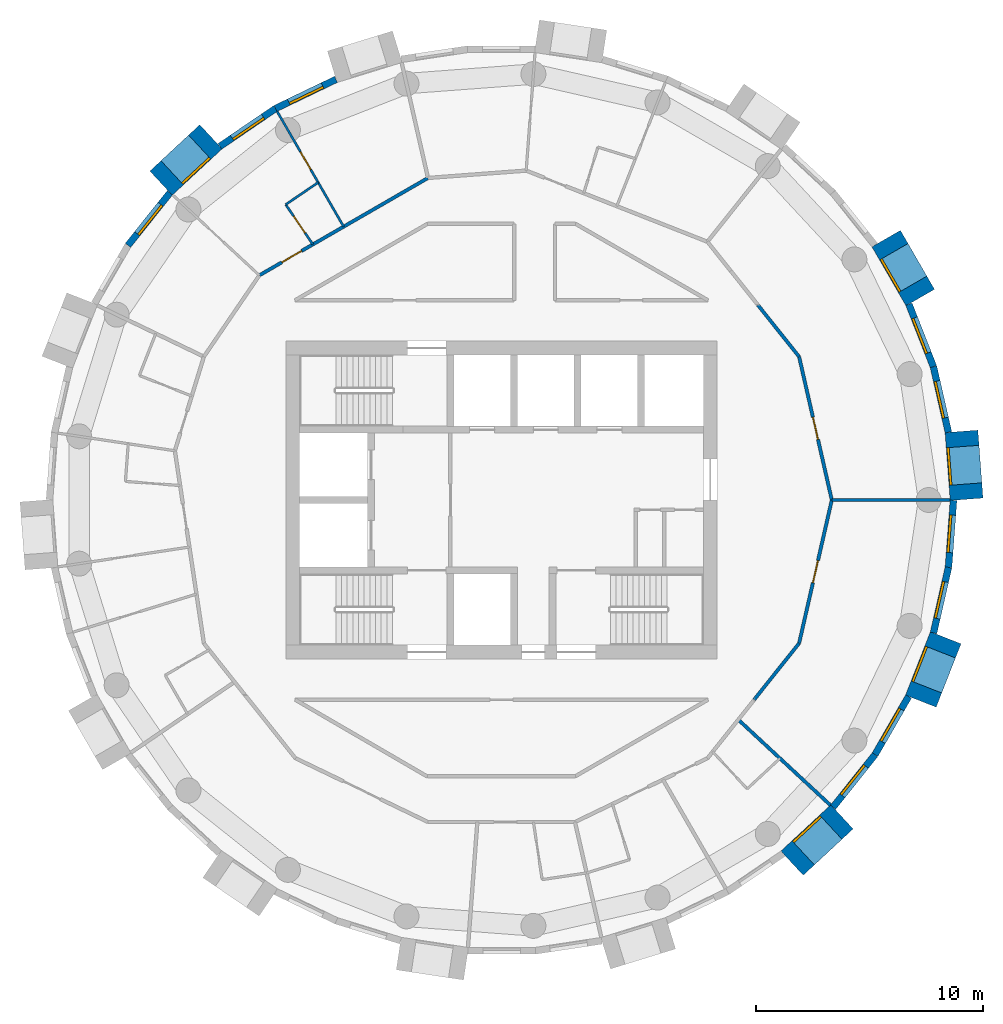
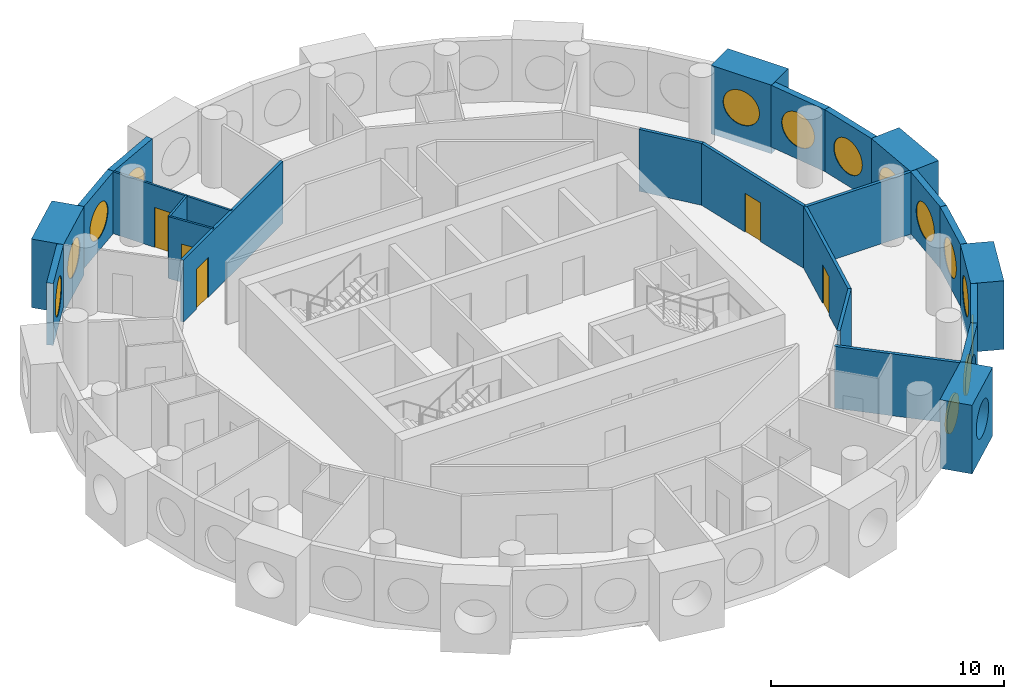
# One storey, part 8 of 11: 25 walls, 14 windows, 5 doors, 19 openings.
"""IFC4 building model written with IfcOpenShell, lengths in metres."""

from ifc_helpers import new_model, si_unit, direction, frame, frame_2d, origin, origin_2d, place, context, subcontext, project, spatial, rectangle, circle, extrude, material, layer, layer_set, type_object, element, fill, save


model = new_model("IFC4")

# Units and contexts
model_context = context("Model", 3, precision=1e-05, world=origin(), true_north=direction((0.0, 1.0)))
body_context = subcontext(model_context, "Body", "Model", "MODEL_VIEW")
ifc_project = project(units=[si_unit("LENGTHUNIT", "METRE"), si_unit("AREAUNIT", "SQUARE_METRE"), si_unit("VOLUMEUNIT", "CUBIC_METRE"), si_unit("PLANEANGLEUNIT", "RADIAN"), si_unit("MASSUNIT", "GRAM", prefix="KILO")], contexts=[model_context])

# Site, building, storey
site_placement = place(None, origin())
site = spatial("IfcSite", under=ifc_project, at=site_placement, CompositionType="ELEMENT")
building_placement = place(site_placement, origin())
building = spatial("IfcBuilding", under=site, at=building_placement, Name="Tracery Tower", CompositionType="ELEMENT")
storey_placement = place(building_placement, frame((0.0, 0.0, 263.39990234375)))
storey = spatial("IfcBuildingStorey", under=building, at=storey_placement, Name="L68", CompositionType="ELEMENT", Elevation=263.39990234375)

# Wall, opening, window
ifc_material_1 = material(Name="Precast concrete C50/60", Category="concrete")
ifc_layer_1 = layer(ifc_material_1, 1.449951171875)
ifc_layer_set_1 = layer_set([ifc_layer_1], Name="Deep-set bay unit 3000 x 3600, slab edge 350")
wall_type_1 = type_object("IfcWallType", Name="Deep-set bay unit 3000 x 3600, slab edge 350", PredefinedType="ELEMENTEDWALL", material=ifc_layer_set_1)
wall_1_placement = place(storey_placement, frame((20.49609375, 0.03173828125, -0.349853515625), z_axis=(0.0, 0.0, 1.0), x_axis=(-0.074785902127, 0.997199613339, 0.0)))
wall_1 = element("IfcWall", 1, at=wall_1_placement, inside=storey, type_object=wall_type_1, Name="Deep-set bay unit 1 at L68", PredefinedType="ELEMENTEDWALL", context=body_context, shape_type="SweptSolid", body=[
    extrude(rectangle(XDim=3.0, YDim=1.449951171875, at=frame_2d((1.5, 0.0))), origin(), (0.0, 0.0, 1.0), 3.599853515625),
])
opening_1_placement = place(wall_1_placement, frame((1.5, 0.0, 1.89990234375)))
opening_1 = element("IfcOpeningElement", 2, at=opening_1_placement, cuts=wall_1, Name="Opening WN1", PredefinedType="OPENING", context=body_context, shape_type="SweptSolid", body=[
    extrude(circle(Radius=0.9000244140625, at=origin_2d()), frame((0.0, 0.73486328125, 0.0), z_axis=(0.0, -1.0, 0.0), x_axis=(1.0, 0.0, 0.0)), (0.0, 0.0, 1.0), 1.469970703125),
])
ifc_material_2 = material(Name="Aluminium frame with tinted double glazing", Category="aluminium")
window_type = type_object("IfcWindowType", Name="Round window 1800", PartitioningType="SINGLE_PANEL", PredefinedType="WINDOW", material=ifc_material_2)
window_1_placement = place(opening_1_placement, origin())
window_1 = element("IfcWindow", 3, at=window_1_placement, inside=storey, type_object=window_type, Name="Round window 1 at L68", OverallHeight=1.800048828125, OverallWidth=1.800048828125, PartitioningType="SINGLE_PANEL", PredefinedType="WINDOW", context=body_context, shape_type="SweptSolid", body=[
    extrude(circle(Radius=0.9000244140625, at=origin_2d()), frame((0.0, 0.69482421875, 0.0), z_axis=(0.0, -1.0, 0.0), x_axis=(1.0, 0.0, 0.0)), (0.0, 0.0, 1.0), 0.10009765625),
])
fill(opening_1, window_1)

wall_2_placement = place(storey_placement, frame((18.452392578125, 8.92138671875, -0.349853515625), z_axis=(0.0, 0.0, 1.0), x_axis=(-0.499990139034, 0.866031096941, 0.0)))
wall_2 = element("IfcWall", 4, at=wall_2_placement, inside=storey, type_object=wall_type_1, Name="Deep-set bay unit 4 at L68", PredefinedType="ELEMENTEDWALL", context=body_context, shape_type="SweptSolid", body=[
    extrude(rectangle(XDim=3.0, YDim=1.449951171875, at=frame_2d((1.5, 0.0))), origin(), (0.0, 0.0, 1.0), 3.599853515625),
])
opening_2_placement = place(wall_2_placement, frame((1.5, 0.0, 1.89990234375)))
opening_2 = element("IfcOpeningElement", 5, at=opening_2_placement, cuts=wall_2, Name="Opening WN1", PredefinedType="OPENING", context=body_context, shape_type="SweptSolid", body=[
    extrude(circle(Radius=0.9000244140625, at=origin_2d()), frame((0.0, 0.73486328125, 0.0), z_axis=(0.0, -1.0, 0.0), x_axis=(1.0, 0.0, 0.0)), (0.0, 0.0, 1.0), 1.469970703125),
])
window_2_placement = place(opening_2_placement, origin())
window_2 = element("IfcWindow", 6, at=window_2_placement, inside=storey, type_object=window_type, Name="Round window 4 at L68", OverallHeight=1.800048828125, OverallWidth=1.800048828125, PartitioningType="SINGLE_PANEL", PredefinedType="WINDOW", context=body_context, shape_type="SweptSolid", body=[
    extrude(circle(Radius=0.9000244140625, at=origin_2d()), frame((0.0, 0.69482421875, 0.0), z_axis=(0.0, -1.0, 0.0), x_axis=(1.0, 0.0, 0.0)), (0.0, 0.0, 1.0), 0.10009765625),
])
fill(opening_2, window_2)

wall_3_placement = place(storey_placement, frame((-12.803955078125, 16.004638671875, -0.349853515625), z_axis=(0.0, 0.0, 1.0), x_axis=(-0.733022439167, -0.680204457261, 0.0)))
wall_3 = element("IfcWall", 7, at=wall_3_placement, inside=storey, type_object=wall_type_1, Name="Deep-set bay unit 16 at L68", PredefinedType="ELEMENTEDWALL", context=body_context, shape_type="SweptSolid", body=[
    extrude(rectangle(XDim=2.999755859375, YDim=1.449951171875, at=frame_2d((1.5, 0.0))), origin(), (0.0, 0.0, 1.0), 3.599853515625),
])
opening_3_placement = place(wall_3_placement, frame((1.5, 0.0, 1.89990234375)))
opening_3 = element("IfcOpeningElement", 8, at=opening_3_placement, cuts=wall_3, Name="Opening WN1", PredefinedType="OPENING", context=body_context, shape_type="SweptSolid", body=[
    extrude(circle(Radius=0.9000244140625, at=origin_2d()), frame((0.0, 0.73486328125, 0.0), z_axis=(0.0, -1.0, 0.0), x_axis=(1.0, 0.0, 0.0)), (0.0, 0.0, 1.0), 1.469970703125),
])
window_3_placement = place(opening_3_placement, origin())
window_3 = element("IfcWindow", 9, at=window_3_placement, inside=storey, type_object=window_type, Name="Round window 16 at L68", OverallHeight=1.800048828125, OverallWidth=1.800048828125, PartitioningType="SINGLE_PANEL", PredefinedType="WINDOW", context=body_context, shape_type="SweptSolid", body=[
    extrude(circle(Radius=0.9000244140625, at=origin_2d()), frame((0.0, 0.69482421875, 0.0), z_axis=(0.0, -1.0, 0.0), x_axis=(1.0, 0.0, 0.0)), (0.0, 0.0, 1.0), 0.10009765625),
])
fill(opening_3, window_3)

wall_4_placement = place(storey_placement, frame((12.803955078125, -16.004638671875, -0.349853515625), z_axis=(0.0, 0.0, 1.0), x_axis=(0.733022439167, 0.680204457261, 0.0)))
wall_4 = element("IfcWall", 10, at=wall_4_placement, inside=storey, type_object=wall_type_1, Name="Deep-set bay unit 37 at L68", PredefinedType="ELEMENTEDWALL", context=body_context, shape_type="SweptSolid", body=[
    extrude(rectangle(XDim=2.999755859375, YDim=1.449951171875, at=frame_2d((1.5, 0.0))), origin(), (0.0, 0.0, 1.0), 3.599853515625),
])
opening_4_placement = place(wall_4_placement, frame((1.5, 0.0, 1.89990234375)))
opening_4 = element("IfcOpeningElement", 11, at=opening_4_placement, cuts=wall_4, Name="Opening WN1", PredefinedType="OPENING", context=body_context, shape_type="SweptSolid", body=[
    extrude(circle(Radius=0.9000244140625, at=origin_2d()), frame((0.0, 0.73486328125, 0.0), z_axis=(0.0, -1.0, 0.0), x_axis=(1.0, 0.0, 0.0)), (0.0, 0.0, 1.0), 1.469970703125),
])
window_4_placement = place(opening_4_placement, origin())
window_4 = element("IfcWindow", 12, at=window_4_placement, inside=storey, type_object=window_type, Name="Round window 37 at L68", OverallHeight=1.800048828125, OverallWidth=1.800048828125, PartitioningType="SINGLE_PANEL", PredefinedType="WINDOW", context=body_context, shape_type="SweptSolid", body=[
    extrude(circle(Radius=0.9000244140625, at=origin_2d()), frame((0.0, 0.69482421875, 0.0), z_axis=(0.0, -1.0, 0.0), x_axis=(1.0, 0.0, 0.0)), (0.0, 0.0, 1.0), 0.10009765625),
])
fill(opening_4, window_4)

wall_5_placement = place(storey_placement, frame((18.47998046875, -8.8642578125, -0.349853515625), z_axis=(0.0, 0.0, 1.0), x_axis=(0.36537792632, 0.93085926485, 0.0)))
wall_5 = element("IfcWall", 13, at=wall_5_placement, inside=storey, type_object=wall_type_1, Name="Deep-set bay unit 40 at L68", PredefinedType="ELEMENTEDWALL", context=body_context, shape_type="SweptSolid", body=[
    extrude(rectangle(XDim=3.000244140625, YDim=1.449951171875, at=frame_2d((1.5, 0.0))), origin(), (0.0, 0.0, 1.0), 3.599853515625),
])
opening_5_placement = place(wall_5_placement, frame((1.5, 0.0, 1.89990234375)))
opening_5 = element("IfcOpeningElement", 14, at=opening_5_placement, cuts=wall_5, Name="Opening WN1", PredefinedType="OPENING", context=body_context, shape_type="SweptSolid", body=[
    extrude(circle(Radius=0.9000244140625, at=origin_2d()), frame((0.0, 0.73486328125, 0.0), z_axis=(0.0, -1.0, 0.0), x_axis=(1.0, 0.0, 0.0)), (0.0, 0.0, 1.0), 1.469970703125),
])
window_5_placement = place(opening_5_placement, origin())
window_5 = element("IfcWindow", 15, at=window_5_placement, inside=storey, type_object=window_type, Name="Round window 40 at L68", OverallHeight=1.800048828125, OverallWidth=1.800048828125, PartitioningType="SINGLE_PANEL", PredefinedType="WINDOW", context=body_context, shape_type="SweptSolid", body=[
    extrude(circle(Radius=0.9000244140625, at=origin_2d()), frame((0.0, 0.69482421875, 0.0), z_axis=(0.0, -1.0, 0.0), x_axis=(1.0, 0.0, 0.0)), (0.0, 0.0, 1.0), 0.10009765625),
])
fill(opening_5, window_5)

ifc_material_3 = material(Name="Precast concrete C50/60", Category="concrete")
ifc_layer_2 = layer(ifc_material_3, 0.300048828125)
ifc_layer_set_2 = layer_set([ifc_layer_2], Name="Facade panel 3000 x 3250")
wall_type_2 = type_object("IfcWallType", Name="Facade panel 3000 x 3250", PredefinedType="SOLIDWALL", material=ifc_layer_set_2)
wall_6_placement = place(storey_placement, frame((19.69580078125, 2.984130859375, 0.0), z_axis=(0.0, 0.0, 1.0), x_axis=(-0.222529389789, 0.974925982155, 0.0)))
wall_6 = element("IfcWall", 16, at=wall_6_placement, inside=storey, type_object=wall_type_2, Name="Facade panel 2 at L68", PredefinedType="SOLIDWALL", context=body_context, shape_type="SweptSolid", body=[
    extrude(rectangle(XDim=2.962158203125, YDim=0.300048828125, at=frame_2d((1.48095703125, 0.0))), origin(), (0.0, 0.0, 1.0), 3.25),
])
opening_6_placement = place(wall_6_placement, frame((1.48095703125, 0.0, 1.5498046875)))
opening_6 = element("IfcOpeningElement", 17, at=opening_6_placement, cuts=wall_6, Name="Opening WN1", PredefinedType="OPENING", context=body_context, shape_type="SweptSolid", body=[
    extrude(circle(Radius=0.9000244140625, at=origin_2d()), frame((0.0, 0.159912109375, 0.0), z_axis=(0.0, -1.0, 0.0), x_axis=(1.0, 0.0, 0.0)), (0.0, 0.0, 1.0), 0.320068359375),
])
window_6_placement = place(opening_6_placement, origin())
window_6 = element("IfcWindow", 18, at=window_6_placement, inside=storey, type_object=window_type, Name="Round window 2 at L68", OverallHeight=1.800048828125, OverallWidth=1.800048828125, PartitioningType="SINGLE_PANEL", PredefinedType="WINDOW", context=body_context, shape_type="SweptSolid", body=[
    extrude(circle(Radius=0.9000244140625, at=origin_2d()), frame((0.0, 0.1201171875, 0.0), z_axis=(0.0, -1.0, 0.0), x_axis=(1.0, 0.0, 0.0)), (0.0, 0.0, 1.0), 0.10009765625),
])
fill(opening_6, window_6)

wall_7_placement = place(storey_placement, frame((19.03662109375, 5.8720703125, 0.0), z_axis=(0.0, 0.0, 1.0), x_axis=(-0.36530043032, 0.930889679612, 0.0)))
wall_7 = element("IfcWall", 19, at=wall_7_placement, inside=storey, type_object=wall_type_2, Name="Facade panel 3 at L68", PredefinedType="SOLIDWALL", context=body_context, shape_type="SweptSolid", body=[
    extrude(rectangle(XDim=2.9619140625, YDim=0.300048828125, at=frame_2d((1.48095703125, 0.0))), origin(), (0.0, 0.0, 1.0), 3.25),
])
opening_7_placement = place(wall_7_placement, frame((1.48095703125, 0.0, 1.5498046875)))
opening_7 = element("IfcOpeningElement", 20, at=opening_7_placement, cuts=wall_7, Name="Opening WN1", PredefinedType="OPENING", context=body_context, shape_type="SweptSolid", body=[
    extrude(circle(Radius=0.9000244140625, at=origin_2d()), frame((0.0, 0.159912109375, 0.0), z_axis=(0.0, -1.0, 0.0), x_axis=(1.0, 0.0, 0.0)), (0.0, 0.0, 1.0), 0.320068359375),
])
window_7_placement = place(opening_7_placement, origin())
window_7 = element("IfcWindow", 21, at=window_7_placement, inside=storey, type_object=window_type, Name="Round window 3 at L68", OverallHeight=1.800048828125, OverallWidth=1.800048828125, PartitioningType="SINGLE_PANEL", PredefinedType="WINDOW", context=body_context, shape_type="SweptSolid", body=[
    extrude(circle(Radius=0.9000244140625, at=origin_2d()), frame((0.0, 0.1201171875, 0.0), z_axis=(0.0, -1.0, 0.0), x_axis=(1.0, 0.0, 0.0)), (0.0, 0.0, 1.0), 0.10009765625),
])
fill(opening_7, window_7)

wall_8_placement = place(storey_placement, frame((-7.2919921875, 18.5380859375, 0.0), z_axis=(0.0, 0.0, 1.0), x_axis=(-0.90095513435, -0.433912255978, 0.0)))
wall_8 = element("IfcWall", 22, at=wall_8_placement, inside=storey, type_object=wall_type_2, Name="Facade panel 14 at L68", PredefinedType="SOLIDWALL", context=body_context, shape_type="SweptSolid", body=[
    extrude(rectangle(XDim=2.96240234375, YDim=0.300048828125, at=frame_2d((1.481201171875, 0.0))), origin(), (0.0, 0.0, 1.0), 3.25),
])
opening_8_placement = place(wall_8_placement, frame((1.48095703125, 0.0, 1.5498046875)))
opening_8 = element("IfcOpeningElement", 23, at=opening_8_placement, cuts=wall_8, Name="Opening WN1", PredefinedType="OPENING", context=body_context, shape_type="SweptSolid", body=[
    extrude(circle(Radius=0.9000244140625, at=origin_2d()), frame((0.0, 0.159912109375, 0.0), z_axis=(0.0, -1.0, 0.0), x_axis=(1.0, 0.0, 0.0)), (0.0, 0.0, 1.0), 0.320068359375),
])
window_8_placement = place(opening_8_placement, origin())
window_8 = element("IfcWindow", 24, at=window_8_placement, inside=storey, type_object=window_type, Name="Round window 14 at L68", OverallHeight=1.800048828125, OverallWidth=1.800048828125, PartitioningType="SINGLE_PANEL", PredefinedType="WINDOW", context=body_context, shape_type="SweptSolid", body=[
    extrude(circle(Radius=0.9000244140625, at=origin_2d()), frame((0.0, 0.1201171875, 0.0), z_axis=(0.0, -1.0, 0.0), x_axis=(1.0, 0.0, 0.0)), (0.0, 0.0, 1.0), 0.10009765625),
])
fill(opening_8, window_8)

wall_9_placement = place(storey_placement, frame((-9.9609375, 17.252685546875, 0.0), z_axis=(0.0, 0.0, 1.0), x_axis=(-0.826236061068, -0.563324037646, 0.0)))
wall_9 = element("IfcWall", 25, at=wall_9_placement, inside=storey, type_object=wall_type_2, Name="Facade panel 15 at L68", PredefinedType="SOLIDWALL", context=body_context, shape_type="SweptSolid", body=[
    extrude(rectangle(XDim=2.962158203125, YDim=0.300048828125, at=frame_2d((1.48095703125, 0.0))), origin(), (0.0, 0.0, 1.0), 3.25),
])
opening_9_placement = place(wall_9_placement, frame((1.48095703125, 0.0, 1.5498046875)))
opening_9 = element("IfcOpeningElement", 26, at=opening_9_placement, cuts=wall_9, Name="Opening WN1", PredefinedType="OPENING", context=body_context, shape_type="SweptSolid", body=[
    extrude(circle(Radius=0.9000244140625, at=origin_2d()), frame((0.0, 0.159912109375, 0.0), z_axis=(0.0, -1.0, 0.0), x_axis=(1.0, 0.0, 0.0)), (0.0, 0.0, 1.0), 0.320068359375),
])
window_9_placement = place(opening_9_placement, origin())
window_9 = element("IfcWindow", 27, at=window_9_placement, inside=storey, type_object=window_type, Name="Round window 15 at L68", OverallHeight=1.800048828125, OverallWidth=1.800048828125, PartitioningType="SINGLE_PANEL", PredefinedType="WINDOW", context=body_context, shape_type="SweptSolid", body=[
    extrude(circle(Radius=0.9000244140625, at=origin_2d()), frame((0.0, 0.1201171875, 0.0), z_axis=(0.0, -1.0, 0.0), x_axis=(1.0, 0.0, 0.0)), (0.0, 0.0, 1.0), 0.10009765625),
])
fill(opening_9, window_9)

wall_10_placement = place(storey_placement, frame((-14.61328125, 13.538330078125, 0.0), z_axis=(0.0, 0.0, 1.0), x_axis=(-0.623498236992, -0.781824755599, 0.0)))
wall_10 = element("IfcWall", 28, at=wall_10_placement, inside=storey, type_object=wall_type_2, Name="Facade panel 17 at L68", PredefinedType="SOLIDWALL", context=body_context, shape_type="SweptSolid", body=[
    extrude(rectangle(XDim=2.962158203125, YDim=0.300048828125, at=frame_2d((1.48095703125, 0.0))), origin(), (0.0, 0.0, 1.0), 3.25),
])
opening_10_placement = place(wall_10_placement, frame((1.48095703125, 0.0, 1.5498046875)))
opening_10 = element("IfcOpeningElement", 29, at=opening_10_placement, cuts=wall_10, Name="Opening WN1", PredefinedType="OPENING", context=body_context, shape_type="SweptSolid", body=[
    extrude(circle(Radius=0.9000244140625, at=origin_2d()), frame((0.0, 0.159912109375, 0.0), z_axis=(0.0, -1.0, 0.0), x_axis=(1.0, 0.0, 0.0)), (0.0, 0.0, 1.0), 0.320068359375),
])
window_10_placement = place(opening_10_placement, origin())
window_10 = element("IfcWindow", 30, at=window_10_placement, inside=storey, type_object=window_type, Name="Round window 17 at L68", OverallHeight=1.800048828125, OverallWidth=1.800048828125, PartitioningType="SINGLE_PANEL", PredefinedType="WINDOW", context=body_context, shape_type="SweptSolid", body=[
    extrude(circle(Radius=0.9000244140625, at=origin_2d()), frame((0.0, 0.1201171875, 0.0), z_axis=(0.0, -1.0, 0.0), x_axis=(1.0, 0.0, 0.0)), (0.0, 0.0, 1.0), 0.10009765625),
])
fill(opening_10, window_10)

wall_11_placement = place(storey_placement, frame((14.61328125, -13.538330078125, 0.0), z_axis=(0.0, 0.0, 1.0), x_axis=(0.623498236992, 0.781824755599, 0.0)))
wall_11 = element("IfcWall", 31, at=wall_11_placement, inside=storey, type_object=wall_type_2, Name="Facade panel 38 at L68", PredefinedType="SOLIDWALL", context=body_context, shape_type="SweptSolid", body=[
    extrude(rectangle(XDim=2.962158203125, YDim=0.300048828125, at=frame_2d((1.48095703125, 0.0))), origin(), (0.0, 0.0, 1.0), 3.25),
])
opening_11_placement = place(wall_11_placement, frame((1.48095703125, 0.0, 1.5498046875)))
opening_11 = element("IfcOpeningElement", 32, at=opening_11_placement, cuts=wall_11, Name="Opening WN1", PredefinedType="OPENING", context=body_context, shape_type="SweptSolid", body=[
    extrude(circle(Radius=0.9000244140625, at=origin_2d()), frame((0.0, 0.159912109375, 0.0), z_axis=(0.0, -1.0, 0.0), x_axis=(1.0, 0.0, 0.0)), (0.0, 0.0, 1.0), 0.320068359375),
])
window_11_placement = place(opening_11_placement, origin())
window_11 = element("IfcWindow", 33, at=window_11_placement, inside=storey, type_object=window_type, Name="Round window 38 at L68", OverallHeight=1.800048828125, OverallWidth=1.800048828125, PartitioningType="SINGLE_PANEL", PredefinedType="WINDOW", context=body_context, shape_type="SweptSolid", body=[
    extrude(circle(Radius=0.9000244140625, at=origin_2d()), frame((0.0, 0.1201171875, 0.0), z_axis=(0.0, -1.0, 0.0), x_axis=(1.0, 0.0, 0.0)), (0.0, 0.0, 1.0), 0.10009765625),
])
fill(opening_11, window_11)

wall_12_placement = place(storey_placement, frame((16.460205078125, -11.222412109375, 0.0), z_axis=(0.0, 0.0, 1.0), x_axis=(0.499950756475, 0.86605383268, 0.0)))
wall_12 = element("IfcWall", 34, at=wall_12_placement, inside=storey, type_object=wall_type_2, Name="Facade panel 39 at L68", PredefinedType="SOLIDWALL", context=body_context, shape_type="SweptSolid", body=[
    extrude(rectangle(XDim=2.962158203125, YDim=0.300048828125, at=frame_2d((1.48095703125, 0.0))), origin(), (0.0, 0.0, 1.0), 3.25),
])
opening_12_placement = place(wall_12_placement, frame((1.48095703125, 0.0, 1.5498046875)))
opening_12 = element("IfcOpeningElement", 35, at=opening_12_placement, cuts=wall_12, Name="Opening WN1", PredefinedType="OPENING", context=body_context, shape_type="SweptSolid", body=[
    extrude(circle(Radius=0.9000244140625, at=origin_2d()), frame((0.0, 0.159912109375, 0.0), z_axis=(0.0, -1.0, 0.0), x_axis=(1.0, 0.0, 0.0)), (0.0, 0.0, 1.0), 0.320068359375),
])
window_12_placement = place(opening_12_placement, origin())
window_12 = element("IfcWindow", 36, at=window_12_placement, inside=storey, type_object=window_type, Name="Round window 39 at L68", OverallHeight=1.800048828125, OverallWidth=1.800048828125, PartitioningType="SINGLE_PANEL", PredefinedType="WINDOW", context=body_context, shape_type="SweptSolid", body=[
    extrude(circle(Radius=0.9000244140625, at=origin_2d()), frame((0.0, 0.1201171875, 0.0), z_axis=(0.0, -1.0, 0.0), x_axis=(1.0, 0.0, 0.0)), (0.0, 0.0, 1.0), 0.10009765625),
])
fill(opening_12, window_12)

wall_13_placement = place(storey_placement, frame((19.0400390625, -5.857177734375, 0.0), z_axis=(0.0, 0.0, 1.0), x_axis=(0.222529389789, 0.974925982155, 0.0)))
wall_13 = element("IfcWall", 37, at=wall_13_placement, inside=storey, type_object=wall_type_2, Name="Facade panel 41 at L68", PredefinedType="SOLIDWALL", context=body_context, shape_type="SweptSolid", body=[
    extrude(rectangle(XDim=2.962158203125, YDim=0.300048828125, at=frame_2d((1.48095703125, 0.0))), origin(), (0.0, 0.0, 1.0), 3.25),
])
opening_13_placement = place(wall_13_placement, frame((1.48095703125, 0.0, 1.5498046875)))
opening_13 = element("IfcOpeningElement", 38, at=opening_13_placement, cuts=wall_13, Name="Opening WN1", PredefinedType="OPENING", context=body_context, shape_type="SweptSolid", body=[
    extrude(circle(Radius=0.9000244140625, at=origin_2d()), frame((0.0, 0.159912109375, 0.0), z_axis=(0.0, -1.0, 0.0), x_axis=(1.0, 0.0, 0.0)), (0.0, 0.0, 1.0), 0.320068359375),
])
window_13_placement = place(opening_13_placement, origin())
window_13 = element("IfcWindow", 39, at=window_13_placement, inside=storey, type_object=window_type, Name="Round window 41 at L68", OverallHeight=1.800048828125, OverallWidth=1.800048828125, PartitioningType="SINGLE_PANEL", PredefinedType="WINDOW", context=body_context, shape_type="SweptSolid", body=[
    extrude(circle(Radius=0.9000244140625, at=origin_2d()), frame((0.0, 0.1201171875, 0.0), z_axis=(0.0, -1.0, 0.0), x_axis=(1.0, 0.0, 0.0)), (0.0, 0.0, 1.0), 0.10009765625),
])
fill(opening_13, window_13)

wall_14_placement = place(storey_placement, frame((19.69921875, -2.96923828125, 0.0), z_axis=(0.0, 0.0, 1.0), x_axis=(0.07474897196, 0.997202382263, 0.0)))
wall_14 = element("IfcWall", 40, at=wall_14_placement, inside=storey, type_object=wall_type_2, Name="Facade panel 42 at L68", PredefinedType="SOLIDWALL", context=body_context, shape_type="SweptSolid", body=[
    extrude(rectangle(XDim=2.96240234375, YDim=0.300048828125, at=frame_2d((1.481201171875, 0.0))), origin(), (0.0, 0.0, 1.0), 3.25),
])
opening_14_placement = place(wall_14_placement, frame((1.48095703125, 0.0, 1.5498046875)))
opening_14 = element("IfcOpeningElement", 41, at=opening_14_placement, cuts=wall_14, Name="Opening WN1", PredefinedType="OPENING", context=body_context, shape_type="SweptSolid", body=[
    extrude(circle(Radius=0.9000244140625, at=origin_2d()), frame((0.0, 0.159912109375, 0.0), z_axis=(0.0, -1.0, 0.0), x_axis=(1.0, 0.0, 0.0)), (0.0, 0.0, 1.0), 0.320068359375),
])
window_14_placement = place(opening_14_placement, origin())
window_14 = element("IfcWindow", 42, at=window_14_placement, inside=storey, type_object=window_type, Name="Round window 42 at L68", OverallHeight=1.800048828125, OverallWidth=1.800048828125, PartitioningType="SINGLE_PANEL", PredefinedType="WINDOW", context=body_context, shape_type="SweptSolid", body=[
    extrude(circle(Radius=0.9000244140625, at=origin_2d()), frame((0.0, 0.1201171875, 0.0), z_axis=(0.0, -1.0, 0.0), x_axis=(1.0, 0.0, 0.0)), (0.0, 0.0, 1.0), 0.10009765625),
])
fill(opening_14, window_14)

# Wall, opening, door
ifc_material_4 = material(Name="Plasterboard on steel studs", Category="steel")
ifc_layer_3 = layer(ifc_material_4, 0.10009765625)
ifc_layer_set_3 = layer_set([ifc_layer_3], Name="Partition 100 stud")
wall_type_3 = type_object("IfcWallType", Name="Partition 100 stud", PredefinedType="PARTITIONING", material=ifc_layer_set_3)
wall_15_placement = place(storey_placement, frame((-9.885986328125, 17.1220703125, 0.0), z_axis=(0.0, 0.0, 1.0), x_axis=(0.500172881213, -0.865925567759, 0.0)))
wall_15 = element("IfcWall", 43, at=wall_15_placement, inside=storey, type_object=wall_type_3, Name="Stud partition RC4-047", PredefinedType="PARTITIONING", context=body_context, shape_type="SweptSolid", body=[
    extrude(rectangle(XDim=3.612548828125, YDim=0.10009765625, at=frame_2d((1.80615234375, 0.0))), origin(), (0.0, 0.0, 1.0), 3.25),
])
opening_15_placement = place(wall_15_placement, frame((2.055908203125, 0.0, 0.0)))
opening_15 = element("IfcOpeningElement", 44, at=opening_15_placement, cuts=wall_15, Name="Opening RC4-09", PredefinedType="OPENING", context=body_context, shape_type="SweptSolid", body=[
    extrude(rectangle(XDim=0.89990234375, YDim=2.10009765625, at=frame_2d((0.449951171875, 1.050048828125))), frame((0.0, 0.050048828125, 0.0), z_axis=(0.0, -1.0, 0.0), x_axis=(1.0, 0.0, 0.0)), (0.0, 0.0, 1.0), 0.10009765625),
])
ifc_material_5 = material(Name="Timber door leaf", Category="wood")
door_type_1 = type_object("IfcDoorType", Name="Door bedroom 900", OperationType="NOTDEFINED", PredefinedType="DOOR", material=ifc_material_5)
door_1_placement = place(opening_15_placement, origin())
door_1 = element("IfcDoor", 45, at=door_1_placement, inside=storey, type_object=door_type_1, Name="Bedroom door RC4-09", OperationType="SINGLE_SWING_RIGHT", OverallHeight=2.10009765625, OverallWidth=0.89990234375, PredefinedType="DOOR", context=body_context, shape_type="SweptSolid", body=[
    extrude(rectangle(XDim=0.89990234375, YDim=2.10009765625, at=frame_2d((0.449951171875, 1.050048828125))), frame((0.0, 0.02490234375, 0.0), z_axis=(0.0, -1.0, 0.0), x_axis=(1.0, 0.0, 0.0)), (0.0, 0.0, 1.0), 0.050048828125),
])
fill(opening_15, door_1)

# Wall
ifc_material_6 = material(Name="Plasterboard on steel studs", Category="steel")
ifc_layer_4 = layer(ifc_material_6, 0.10009765625)
ifc_layer_set_4 = layer_set([ifc_layer_4], Name="Partition 100 wet wall")
wall_type_4 = type_object("IfcWallType", Name="Partition 100 wet wall", PredefinedType="PARTITIONING", material=ifc_layer_set_4)
wall_16_placement = place(storey_placement, frame((-9.509033203125, 13.01904296875, 0.0), z_axis=(0.0, 0.0, 1.0), x_axis=(0.826254203104, 0.563297427522, 0.0)))
element("IfcWall", 46, at=wall_16_placement, inside=storey, type_object=wall_type_4, Name="Wet wall RC4-049", PredefinedType="PARTITIONING", context=body_context, shape_type="SweptSolid", body=[
    extrude(rectangle(XDim=1.730712890625, YDim=0.10009765625, at=frame_2d((0.865234375, 0.0))), origin(), (0.0, 0.0, 1.0), 3.25),
])

# Wall, opening, door
wall_17_placement = place(storey_placement, frame((-9.509033203125, 13.01904296875, 0.0), z_axis=(0.0, 0.0, 1.0), x_axis=(0.563233448692, -0.826297816937, 0.0)))
wall_17 = element("IfcWall", 47, at=wall_17_placement, inside=storey, type_object=wall_type_4, Name="Wet wall RC4-050", PredefinedType="PARTITIONING", context=body_context, shape_type="SweptSolid", body=[
    extrude(rectangle(XDim=2.125244140625, YDim=0.10009765625, at=frame_2d((1.0625, 0.0))), origin(), (0.0, 0.0, 1.0), 3.25),
])
opening_16_placement = place(wall_17_placement, frame((0.613037109375, 0.0, 0.0)))
opening_16 = element("IfcOpeningElement", 48, at=opening_16_placement, cuts=wall_17, Name="Opening RC4-11", PredefinedType="OPENING", context=body_context, shape_type="SweptSolid", body=[
    extrude(rectangle(XDim=0.89990234375, YDim=2.0, at=frame_2d((0.449951171875, 1.0))), frame((0.0, 0.050048828125, 0.0), z_axis=(0.0, -1.0, 0.0), x_axis=(1.0, 0.0, 0.0)), (0.0, 0.0, 1.0), 0.10009765625),
])
ifc_material_7 = material(Name="Timber door leaf", Category="wood")
door_type_2 = type_object("IfcDoorType", Name="Door shower room 900", OperationType="NOTDEFINED", PredefinedType="DOOR", material=ifc_material_7)
door_2_placement = place(opening_16_placement, origin())
door_2 = element("IfcDoor", 49, at=door_2_placement, inside=storey, type_object=door_type_2, Name="Shower room door RC4-11", OperationType="SINGLE_SWING_RIGHT", OverallHeight=2.0, OverallWidth=0.89990234375, PredefinedType="DOOR", context=body_context, shape_type="SweptSolid", body=[
    extrude(rectangle(XDim=0.89990234375, YDim=2.0, at=frame_2d((0.449951171875, 1.0))), frame((0.0, 0.02490234375, 0.0), z_axis=(0.0, -1.0, 0.0), x_axis=(1.0, 0.0, 0.0)), (0.0, 0.0, 1.0), 0.050048828125),
])
fill(opening_16, door_2)

# Walls
wall_18_placement = place(storey_placement, frame((-8.0810546875, 13.9970703125, 0.0), z_axis=(0.0, 0.0, 1.0), x_axis=(0.49982252503, -0.866127844762, 0.0)))
element("IfcWall", 50, at=wall_18_placement, inside=storey, type_object=wall_type_4, Name="Wet wall RC4-051", PredefinedType="PARTITIONING", context=body_context, shape_type="SweptSolid", body=[
    extrude(rectangle(XDim=2.252685546875, YDim=0.10009765625, at=frame_2d((1.12646484375, 0.0))), origin(), (0.0, 0.0, 1.0), 3.25),
])
ifc_material_8 = material(Name="Plasterboard on steel studs", Category="steel")
ifc_layer_5 = layer(ifc_material_8, 0.14990234375)
ifc_layer_set_5 = layer_set([ifc_layer_5], Name="Partition 150 acoustic unit wall")
wall_type_5 = type_object("IfcWallType", Name="Partition 150 acoustic unit wall", PredefinedType="PARTITIONING", material=ifc_layer_set_5)
wall_19_placement = place(storey_placement, frame((14.556884765625, 0.0, 0.0), z_axis=(0.0, 0.0, 1.0), x_axis=(1.0, 0.0, 0.0)))
element("IfcWall", 51, at=wall_19_placement, inside=storey, type_object=wall_type_5, Name="Unit wall RC4-040", PredefinedType="PARTITIONING", context=body_context, shape_type="SweptSolid", body=[
    extrude(rectangle(XDim=5.214111328125, YDim=0.14990234375, at=frame_2d((2.60693359375, 0.0))), origin(), (0.0, 0.0, 1.0), 3.25),
])
wall_20_placement = place(storey_placement, frame((10.43359375, -9.67919921875, 0.0), z_axis=(0.0, 0.0, 1.0), x_axis=(0.732845293448, -0.680395308531, 0.0)))
element("IfcWall", 52, at=wall_20_placement, inside=storey, type_object=wall_type_5, Name="Unit wall RC4-073", PredefinedType="PARTITIONING", context=body_context, shape_type="SweptSolid", body=[
    extrude(rectangle(XDim=5.5390625, YDim=0.14990234375, at=frame_2d((2.76953125, 0.0))), origin(), (0.0, 0.0, 1.0), 3.25),
])
ifc_material_9 = material(Name="Plasterboard on steel studs", Category="steel")
ifc_layer_6 = layer(ifc_material_9, 0.14990234375)
ifc_layer_set_6 = layer_set([ifc_layer_6], Name="Partition 150 corridor wall")
wall_type_6 = type_object("IfcWallType", Name="Partition 150 corridor wall", PredefinedType="PARTITIONING", material=ifc_layer_set_6)
wall_21_placement = place(storey_placement, frame((11.300048828125, 8.592041015625, 0.0), z_axis=(0.0, 0.0, 1.0), x_axis=(0.623446514299, -0.781866001185, 0.0)))
element("IfcWall", 53, at=wall_21_placement, inside=storey, type_object=wall_type_6, Name="Corridor wall RC4-016", PredefinedType="PARTITIONING", context=body_context, shape_type="SweptSolid", body=[
    extrude(rectangle(XDim=2.9111328125, YDim=0.14990234375, at=frame_2d((1.45556640625, 0.0))), origin(), (0.0, 0.0, 1.0), 3.25),
])

# Wall, opening, door
wall_22_placement = place(storey_placement, frame((13.114990234375, 6.31591796875, 0.0), z_axis=(0.0, 0.0, 1.0), x_axis=(0.222568978642, -0.97491694505, 0.0)))
wall_22 = element("IfcWall", 54, at=wall_22_placement, inside=storey, type_object=wall_type_6, Name="Corridor wall RC4-017", PredefinedType="PARTITIONING", context=body_context, shape_type="SweptSolid", body=[
    extrude(rectangle(XDim=6.478515625, YDim=0.14990234375, at=frame_2d((3.2392578125, 0.0))), origin(), (0.0, 0.0, 1.0), 3.25),
])
opening_17_placement = place(wall_22_placement, frame((2.739013671875, 0.0, 0.0)))
opening_17 = element("IfcOpeningElement", 55, at=opening_17_placement, cuts=wall_22, Name="Opening RC4-04", PredefinedType="OPENING", context=body_context, shape_type="SweptSolid", body=[
    extrude(rectangle(XDim=1.0, YDim=2.0400390625, at=frame_2d((0.5, 1.02001953125))), frame((0.0, 0.074951171875, 0.0), z_axis=(0.0, -1.0, 0.0), x_axis=(1.0, 0.0, 0.0)), (0.0, 0.0, 1.0), 0.14990234375),
])
ifc_material_10 = material(Name="Timber door leaf", Category="wood")
door_type_3 = type_object("IfcDoorType", Name="Door communal room 1000", OperationType="NOTDEFINED", PredefinedType="DOOR", material=ifc_material_10)
door_3_placement = place(opening_17_placement, origin())
door_3 = element("IfcDoor", 56, at=door_3_placement, inside=storey, type_object=door_type_3, Name="Communal room door RC4-04", OperationType="SINGLE_SWING_LEFT", OverallHeight=2.0400390625, OverallWidth=1.0, PredefinedType="DOOR", context=body_context, shape_type="SweptSolid", body=[
    extrude(rectangle(XDim=1.0, YDim=2.0400390625, at=frame_2d((0.5, 1.02001953125))), frame((0.0, 0.02490234375, 0.0), z_axis=(0.0, -1.0, 0.0), x_axis=(1.0, 0.0, 0.0)), (0.0, 0.0, 1.0), 0.050048828125),
])
fill(opening_17, door_3)

wall_23_placement = place(storey_placement, frame((13.114990234375, -6.31591796875, 0.0), z_axis=(0.0, 0.0, 1.0), x_axis=(0.222568978642, 0.97491694505, 0.0)))
wall_23 = element("IfcWall", 57, at=wall_23_placement, inside=storey, type_object=wall_type_6, Name="Corridor wall RC4-018", PredefinedType="PARTITIONING", context=body_context, shape_type="SweptSolid", body=[
    extrude(rectangle(XDim=6.478515625, YDim=0.14990234375, at=frame_2d((3.2392578125, 0.0))), origin(), (0.0, 0.0, 1.0), 3.25),
])
opening_18_placement = place(wall_23_placement, frame((2.739501953125, 0.0, 0.0)))
opening_18 = element("IfcOpeningElement", 58, at=opening_18_placement, cuts=wall_23, Name="Opening RC4-27", PredefinedType="OPENING", context=body_context, shape_type="SweptSolid", body=[
    extrude(rectangle(XDim=1.0, YDim=2.0400390625, at=frame_2d((0.5, 1.02001953125))), frame((0.0, 0.074951171875, 0.0), z_axis=(0.0, -1.0, 0.0), x_axis=(1.0, 0.0, 0.0)), (0.0, 0.0, 1.0), 0.14990234375),
])
door_4_placement = place(opening_18_placement, origin())
door_4 = element("IfcDoor", 59, at=door_4_placement, inside=storey, type_object=door_type_3, Name="Communal room door RC4-27", OperationType="SINGLE_SWING_LEFT", OverallHeight=2.0400390625, OverallWidth=1.0, PredefinedType="DOOR", context=body_context, shape_type="SweptSolid", body=[
    extrude(rectangle(XDim=1.0, YDim=2.0400390625, at=frame_2d((0.5, 1.02001953125))), frame((0.0, 0.02490234375, 0.0), z_axis=(0.0, -1.0, 0.0), x_axis=(1.0, 0.0, 0.0)), (0.0, 0.0, 1.0), 0.050048828125),
])
fill(opening_18, door_4)

# Wall
wall_24_placement = place(storey_placement, frame((11.134033203125, -8.800048828125, 0.0), z_axis=(0.0, 0.0, 1.0), x_axis=(0.623476099415, 0.781842409606, 0.0)))
element("IfcWall", 60, at=wall_24_placement, inside=storey, type_object=wall_type_6, Name="Corridor wall RC4-019", PredefinedType="PARTITIONING", context=body_context, shape_type="SweptSolid", body=[
    extrude(rectangle(XDim=3.17724609375, YDim=0.14990234375, at=frame_2d((1.588623046875, 0.0))), origin(), (0.0, 0.0, 1.0), 3.25),
])

# Wall, opening, door
wall_25_placement = place(storey_placement, frame((-10.671142578125, 9.901123046875, 0.0), z_axis=(0.0, 0.0, 1.0), x_axis=(0.866021669971, 0.500006467099, 0.0)))
wall_25 = element("IfcWall", 61, at=wall_25_placement, inside=storey, type_object=wall_type_6, Name="Corridor wall RC4-029", PredefinedType="PARTITIONING", context=body_context, shape_type="SweptSolid", body=[
    extrude(rectangle(XDim=8.58203125, YDim=0.14990234375, at=frame_2d((4.291015625, 0.0))), origin(), (0.0, 0.0, 1.0), 3.25),
])
opening_19_placement = place(wall_25_placement, frame((1.1455078125, 0.0, 0.0)))
opening_19 = element("IfcOpeningElement", 62, at=opening_19_placement, cuts=wall_25, Name="Opening RC4-12", PredefinedType="OPENING", context=body_context, shape_type="SweptSolid", body=[
    extrude(rectangle(XDim=1.0, YDim=2.10009765625, at=frame_2d((0.5, 1.050048828125))), frame((0.0, 0.074951171875, 0.0), z_axis=(0.0, -1.0, 0.0), x_axis=(1.0, 0.0, 0.0)), (0.0, 0.0, 1.0), 0.14990234375),
])
ifc_material_11 = material(Name="Timber door leaf", Category="wood")
door_type_4 = type_object("IfcDoorType", Name="Door unit entrance 1000", OperationType="NOTDEFINED", PredefinedType="DOOR", material=ifc_material_11)
door_5_placement = place(opening_19_placement, origin())
door_5 = element("IfcDoor", 63, at=door_5_placement, inside=storey, type_object=door_type_4, Name="Unit entrance door RC4-12", OperationType="SINGLE_SWING_RIGHT", OverallHeight=2.10009765625, OverallWidth=1.0, PredefinedType="DOOR", context=body_context, shape_type="SweptSolid", body=[
    extrude(rectangle(XDim=1.0, YDim=2.10009765625, at=frame_2d((0.5, 1.050048828125))), frame((0.0, 0.02490234375, 0.0), z_axis=(0.0, -1.0, 0.0), x_axis=(1.0, 0.0, 0.0)), (0.0, 0.0, 1.0), 0.050048828125),
])
fill(opening_19, door_5)

save(model, "model.ifc")
